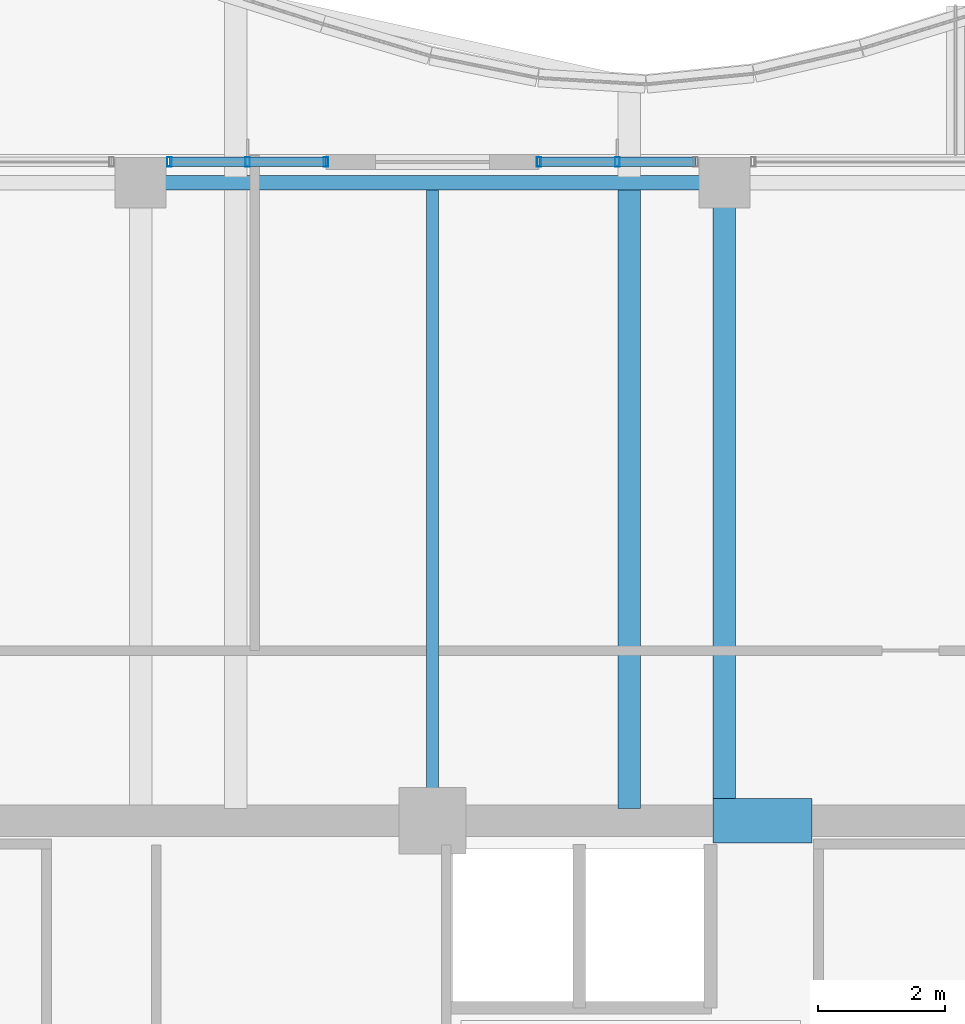
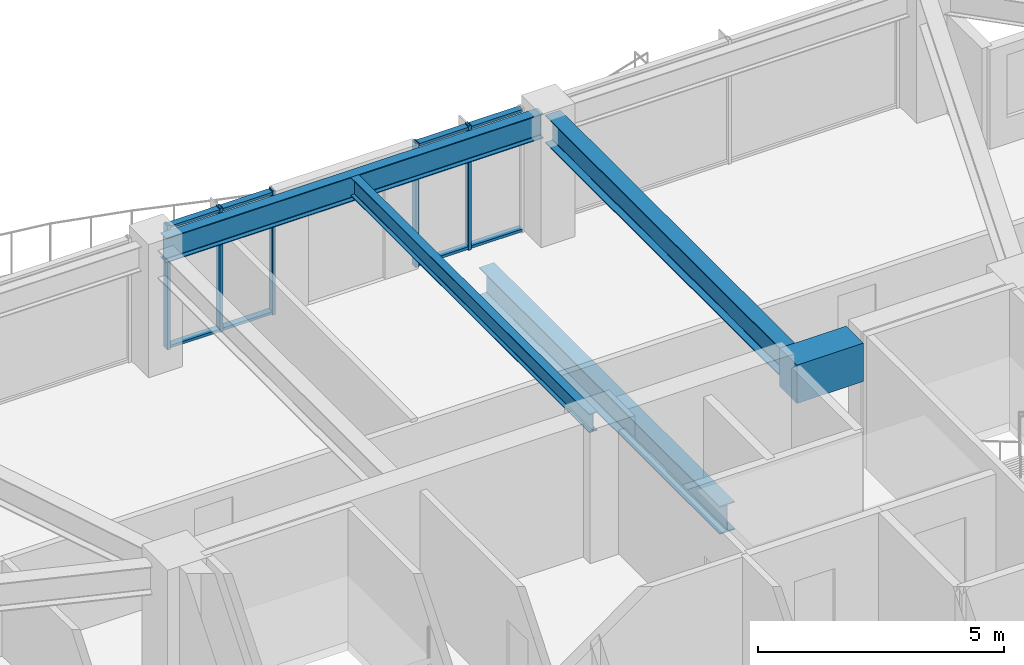
# One storey, part 17 of 36: 9 members, 5 beams, 2 elements without a shape of their own.
"""IFC4 building model written with IfcOpenShell, lengths in metres."""

from ifc_helpers import new_model, si_unit, direction, frame, origin, origin_2d, place, context, subcontext, project, spatial, rectangle, hollow_rectangle, i_section, extrude, material, material_profile, profile_set, type_object, element, aggregate, save


model = new_model("IFC4")

# Units and contexts
model_context = context("Model", 3, precision=1e-05, world=origin(), true_north=direction((0.0, 1.0)))
body_context = subcontext(model_context, "Body", "Model", "MODEL_VIEW")
ifc_project = project(units=[si_unit("LENGTHUNIT", "METRE"), si_unit("AREAUNIT", "SQUARE_METRE"), si_unit("VOLUMEUNIT", "CUBIC_METRE"), si_unit("PLANEANGLEUNIT", "RADIAN"), si_unit("MASSUNIT", "GRAM", prefix="KILO")], contexts=[model_context])

# Site, building, storey
site_placement = place(None, origin())
site = spatial("IfcSite", under=ifc_project, at=site_placement, CompositionType="ELEMENT")
building_placement = place(site_placement, origin())
building = spatial("IfcBuilding", under=site, at=building_placement, Name="Kolvaren Belvedere", CompositionType="ELEMENT")
storey_placement = place(building_placement, frame((0.0, 0.0, 199.800048828125)))
storey = spatial("IfcBuildingStorey", under=building, at=storey_placement, Name="L58", CompositionType="ELEMENT", Elevation=199.800048828125)

# Beams
ifc_material_1 = material(Name="Structural steel ASTM A992 Grade 50", Category="steel")
ifc_material_profile_1 = material_profile(ifc_material_1, i_section(OverallWidth=0.35498046875, OverallDepth=0.696044921875, WebThickness=0.015380859375, FlangeThickness=0.02490234375, FilletRadius=0.02197265625, at=origin_2d()), Name="W27X146")
ifc_profile_set_1 = profile_set([ifc_material_profile_1], Name="Structural steel ASTM A992 Grade 50")
beam_type_1 = type_object("IfcBeamType", Name="BM-GIRD-W27X146", PredefinedType="BEAM", material=ifc_profile_set_1)
beam_1_placement = place(storey_placement, frame((3.10009765625, 10.090087890625, -0.568115234375), z_axis=(0.0, 1.0, 0.0), x_axis=(-1.0, 0.0, 0.0)))
element("IfcBeam", 1, at=beam_1_placement, inside=storey, type_object=beam_type_1, Name="L58 Balcony Interior Back-Span Girder BAL-N-2", PredefinedType="BEAM", context=body_context, shape_type="SweptSolid", body=[
    extrude(i_section(OverallWidth=0.35498046875, OverallDepth=0.696044921875, WebThickness=0.015380859375, FlangeThickness=0.02490234375, FilletRadius=0.02197265625, at=origin_2d()), origin(), (0.0, 0.0, 1.0), 9.764892578125),
])
beam_2_placement = place(storey_placement, frame((4.60009765625, 10.14990234375, 2.73193359375), z_axis=(0.0, 1.0, 0.0), x_axis=(-1.0, 0.0, 0.0)))
element("IfcBeam", 2, at=beam_2_placement, inside=storey, type_object=beam_type_1, Name="L58 North Radial Girder P", PredefinedType="BEAM", context=body_context, shape_type="SweptSolid", body=[
    extrude(i_section(OverallWidth=0.35498046875, OverallDepth=0.696044921875, WebThickness=0.015380859375, FlangeThickness=0.02490234375, FilletRadius=0.02197265625, at=origin_2d()), origin(), (0.0, 0.0, 1.0), 9.6201171875),
])
ifc_material_2 = material(Name="Structural steel ASTM A992 Grade 50", Category="steel")
ifc_material_profile_2 = material_profile(ifc_material_2, i_section(OverallWidth=0.19091796875, OverallDepth=0.4599609375, WebThickness=0.010009765625, FlangeThickness=0.01611328125, FilletRadius=0.014892578125, at=origin_2d()), Name="W18X55")
ifc_profile_set_2 = profile_set([ifc_material_profile_2], Name="Structural steel ASTM A992 Grade 50")
beam_type_2 = type_object("IfcBeamType", Name="BM-JOIST-W18X55", PredefinedType="BEAM", material=ifc_profile_set_2)
beam_3_placement = place(storey_placement, frame((0.0, 10.14990234375, 2.849853515625), z_axis=(0.0, 1.0, 0.0), x_axis=(-1.0, 0.0, 0.0)))
element("IfcBeam", 3, at=beam_3_placement, inside=storey, type_object=beam_type_2, Name="L58 North Centre Floor Beam", PredefinedType="BEAM", context=body_context, shape_type="SweptSolid", body=[
    extrude(i_section(OverallWidth=0.19091796875, OverallDepth=0.4599609375, WebThickness=0.010009765625, FlangeThickness=0.01611328125, FilletRadius=0.014892578125, at=origin_2d()), origin(), (0.0, 0.0, 1.0), 9.685546875),
])
ifc_material_3 = material(Name="Concrete C60/75", Category="concrete")
ifc_material_profile_3 = material_profile(ifc_material_3, rectangle(XDim=0.699951171875, YDim=0.949951171875, at=origin_2d()), Name="RC 700X950")
ifc_profile_set_3 = profile_set([ifc_material_profile_3], Name="Concrete C60/75")
beam_type_3 = type_object("IfcBeamType", Name="BM-LINT-950", PredefinedType="LINTEL", material=ifc_profile_set_3)
beam_4_placement = place(storey_placement, frame((4.419921875, 9.89990234375, 2.60498046875), z_axis=(1.0, 0.0, 0.0), x_axis=(0.0, 1.0, 0.0)))
element("IfcBeam", 4, at=beam_4_placement, inside=storey, type_object=beam_type_3, Name="L58 North Core Coupling Lintel", PredefinedType="LINTEL", context=body_context, shape_type="SweptSolid", body=[
    extrude(rectangle(XDim=0.699951171875, YDim=0.949951171875, at=origin_2d()), origin(), (0.0, 0.0, 1.0), 1.56005859375),
])
ifc_material_4 = material(Name="Structural steel ASTM A992 Grade 50", Category="steel")
ifc_material_profile_4 = material_profile(ifc_material_4, i_section(OverallWidth=0.22900390625, OverallDepth=0.612060546875, WebThickness=0.011962890625, FlangeThickness=0.01953125, FilletRadius=0.01806640625, at=origin_2d()), Name="W24X84")
ifc_profile_set_4 = profile_set([ifc_material_profile_4], Name="Structural steel ASTM A992 Grade 50")
beam_type_4 = type_object("IfcBeamType", Name="BM-SPAN-W24X84", PredefinedType="SPANDREL", material=ifc_profile_set_4)
beam_5_placement = place(storey_placement, frame((4.419921875, 19.949951171875, 2.77392578125), z_axis=(-1.0, 0.0, 0.0), x_axis=(0.0, -1.0, 0.0)))
element("IfcBeam", 5, at=beam_5_placement, inside=storey, type_object=beam_type_4, Name="L58 Perimeter Spandrel N3-N2", PredefinedType="SPANDREL", context=body_context, shape_type="SweptSolid", body=[
    extrude(i_section(OverallWidth=0.22900390625, OverallDepth=0.612060546875, WebThickness=0.011962890625, FlangeThickness=0.01953125, FilletRadius=0.01806640625, at=origin_2d()), origin(), (0.0, 0.0, 1.0), 8.83984375),
])

# Curtain wall, members
ifc_material_5 = material(Name="Anodised pale-metal aluminium AA 6063-T6", Category="aluminium")
curtain_wall_type = type_object("IfcCurtainWallType", Name="CW-Z5-HIGH", PredefinedType="NOTDEFINED", material=ifc_material_5)
curtain_wall_1_placement = place(storey_placement, origin())
curtain_wall_1 = element("IfcCurtainWall", 6, at=curtain_wall_1_placement, inside=storey, type_object=curtain_wall_type, Name="L58 Unitised Curtain Wall FCW-L58-N1-B2", PredefinedType="NOTDEFINED")
ifc_material_6 = material(Name="Anodised pale-metal aluminium AA 6063-T6", Category="aluminium")
ifc_material_profile_5 = material_profile(ifc_material_6, hollow_rectangle(XDim=0.070068359375, YDim=0.14990234375, WallThickness=0.004150390625, at=origin_2d()), Name="ALU-MUL-150X70")
ifc_profile_set_5 = profile_set([ifc_material_profile_5], Name="Anodised pale-metal aluminium AA 6063-T6")
member_type_1 = type_object("IfcMemberType", Name="CW-MUL-150", PredefinedType="MULLION", material=ifc_profile_set_5)
member_1_placement = place(storey_placement, frame((-4.14501953125, 20.280029296875, 0.0), z_axis=(0.0, 0.0, 1.0), x_axis=(1.0, 0.0, 0.0)))
member_1 = element("IfcMember", 7, at=member_1_placement, type_object=member_type_1, Name="FCW-L58-N1-B2 Unitised Mullion 1", PredefinedType="MULLION", context=body_context, shape_type="SweptSolid", body=[
    extrude(hollow_rectangle(XDim=0.070068359375, YDim=0.14990234375, WallThickness=0.004150390625, at=origin_2d()), origin(), (0.0, 0.0, 1.0), 3.079833984375),
])
member_2_placement = place(storey_placement, frame((-2.91259765625, 20.280029296875, 0.0), z_axis=(0.0, 0.0, 1.0), x_axis=(1.0, 0.0, 0.0)))
member_2 = element("IfcMember", 8, at=member_2_placement, type_object=member_type_1, Name="FCW-L58-N1-B2 Unitised Mullion 2", PredefinedType="MULLION", context=body_context, shape_type="SweptSolid", body=[
    extrude(hollow_rectangle(XDim=0.070068359375, YDim=0.14990234375, WallThickness=0.004150390625, at=origin_2d()), origin(), (0.0, 0.0, 1.0), 3.079833984375),
])
member_3_placement = place(storey_placement, frame((-1.679931640625, 20.280029296875, 0.0), z_axis=(0.0, 0.0, 1.0), x_axis=(1.0, 0.0, 0.0)))
member_3 = element("IfcMember", 9, at=member_3_placement, type_object=member_type_1, Name="FCW-L58-N1-B2 Unitised Mullion 3", PredefinedType="MULLION", context=body_context, shape_type="SweptSolid", body=[
    extrude(hollow_rectangle(XDim=0.070068359375, YDim=0.14990234375, WallThickness=0.004150390625, at=origin_2d()), origin(), (0.0, 0.0, 1.0), 3.079833984375),
])

curtain_wall_2_placement = place(storey_placement, origin())
curtain_wall_2 = element("IfcCurtainWall", 10, at=curtain_wall_2_placement, inside=storey, type_object=curtain_wall_type, Name="L58 Unitised Curtain Wall FCW-L58-N2-B1", PredefinedType="NOTDEFINED")
member_4_placement = place(storey_placement, frame((1.679931640625, 20.280029296875, 0.0), z_axis=(0.0, 0.0, 1.0), x_axis=(1.0, 0.0, 0.0)))
member_4 = element("IfcMember", 11, at=member_4_placement, type_object=member_type_1, Name="FCW-L58-N2-B1 Unitised Mullion 1", PredefinedType="MULLION", context=body_context, shape_type="SweptSolid", body=[
    extrude(hollow_rectangle(XDim=0.070068359375, YDim=0.14990234375, WallThickness=0.004150390625, at=origin_2d()), origin(), (0.0, 0.0, 1.0), 3.079833984375),
])
member_5_placement = place(storey_placement, frame((2.91259765625, 20.280029296875, 0.0), z_axis=(0.0, 0.0, 1.0), x_axis=(1.0, 0.0, 0.0)))
member_5 = element("IfcMember", 12, at=member_5_placement, type_object=member_type_1, Name="FCW-L58-N2-B1 Unitised Mullion 2", PredefinedType="MULLION", context=body_context, shape_type="SweptSolid", body=[
    extrude(hollow_rectangle(XDim=0.070068359375, YDim=0.14990234375, WallThickness=0.004150390625, at=origin_2d()), origin(), (0.0, 0.0, 1.0), 3.079833984375),
])

# Member
ifc_material_7 = material(Name="Anodised pale-metal aluminium AA 6063-T6", Category="aluminium")
ifc_material_profile_6 = material_profile(ifc_material_7, hollow_rectangle(XDim=0.06494140625, YDim=0.14990234375, WallThickness=0.00390625, at=origin_2d()), Name="ALU-TRN-150X65")
ifc_profile_set_6 = profile_set([ifc_material_profile_6], Name="Anodised pale-metal aluminium AA 6063-T6")
member_type_2 = type_object("IfcMemberType", Name="CW-TRN-150", PredefinedType="USERDEFINED", material=ifc_profile_set_6)
member_6_placement = place(storey_placement, frame((-4.14501953125, 20.280029296875, 0.06005859375), z_axis=(1.0, 0.0, 0.0), x_axis=(0.0, 0.0, 1.0)))
member_6 = element("IfcMember", 13, at=member_6_placement, type_object=member_type_2, Name="FCW-L58-N1-B2 Sill Transom", ObjectType="TRANSOM", PredefinedType="USERDEFINED", context=body_context, shape_type="SweptSolid", body=[
    extrude(hollow_rectangle(XDim=0.06494140625, YDim=0.14990234375, WallThickness=0.00390625, at=origin_2d()), origin(), (0.0, 0.0, 1.0), 2.465087890625),
])

member_7_placement = place(storey_placement, frame((-4.14501953125, 20.280029296875, 3.02001953125), z_axis=(1.0, 0.0, 0.0), x_axis=(0.0, 0.0, 1.0)))
member_7 = element("IfcMember", 14, at=member_7_placement, type_object=member_type_2, Name="FCW-L58-N1-B2 Head Transom", ObjectType="TRANSOM", PredefinedType="USERDEFINED", context=body_context, shape_type="SweptSolid", body=[
    extrude(hollow_rectangle(XDim=0.06494140625, YDim=0.14990234375, WallThickness=0.00390625, at=origin_2d()), origin(), (0.0, 0.0, 1.0), 2.465087890625),
])

aggregate(curtain_wall_1, [member_1, member_2, member_3, member_6, member_7])

member_8_placement = place(storey_placement, frame((1.679931640625, 20.280029296875, 0.06005859375), z_axis=(1.0, 0.0, 0.0), x_axis=(0.0, 0.0, 1.0)))
member_8 = element("IfcMember", 15, at=member_8_placement, type_object=member_type_2, Name="FCW-L58-N2-B1 Sill Transom", ObjectType="TRANSOM", PredefinedType="USERDEFINED", context=body_context, shape_type="SweptSolid", body=[
    extrude(hollow_rectangle(XDim=0.06494140625, YDim=0.14990234375, WallThickness=0.00390625, at=origin_2d()), origin(), (0.0, 0.0, 1.0), 2.465087890625),
])

member_9_placement = place(storey_placement, frame((1.679931640625, 20.280029296875, 3.02001953125), z_axis=(1.0, 0.0, 0.0), x_axis=(0.0, 0.0, 1.0)))
member_9 = element("IfcMember", 16, at=member_9_placement, type_object=member_type_2, Name="FCW-L58-N2-B1 Head Transom", ObjectType="TRANSOM", PredefinedType="USERDEFINED", context=body_context, shape_type="SweptSolid", body=[
    extrude(hollow_rectangle(XDim=0.06494140625, YDim=0.14990234375, WallThickness=0.00390625, at=origin_2d()), origin(), (0.0, 0.0, 1.0), 2.465087890625),
])

aggregate(curtain_wall_2, [member_4, member_5, member_8, member_9])

save(model, "model.ifc")
